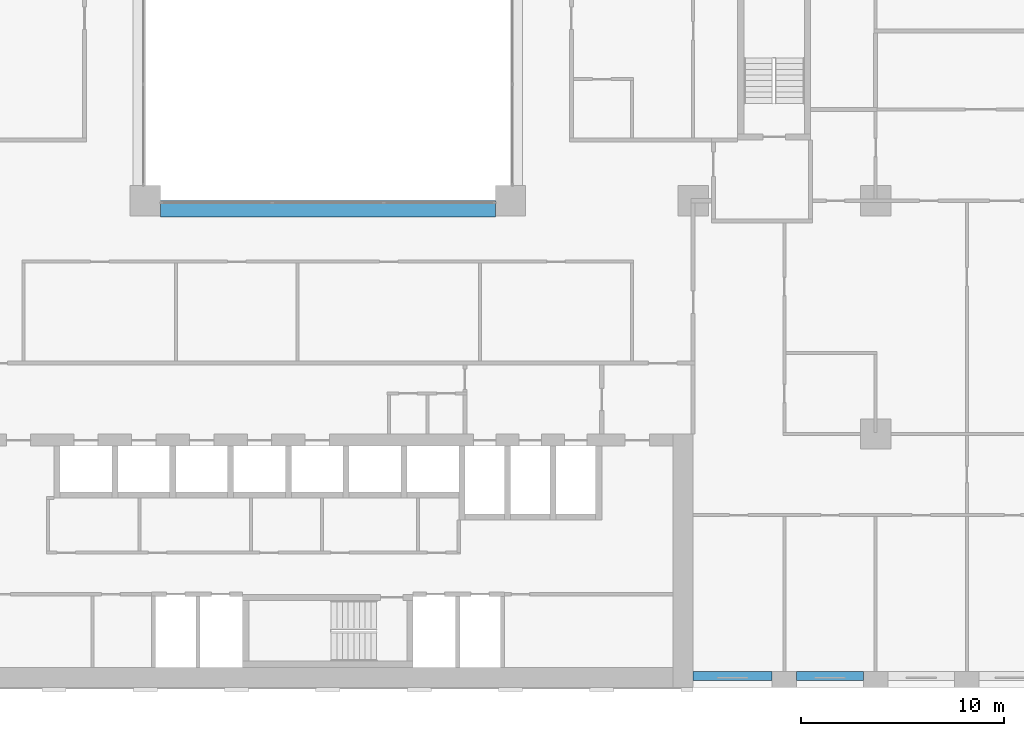
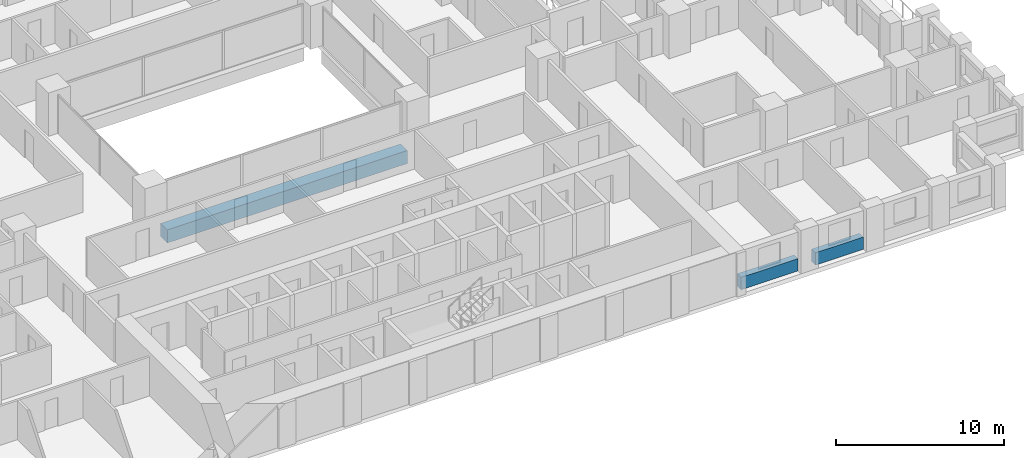
# One storey, part 3 of 19: 3 beams.
"""IFC4 building model written with IfcOpenShell, lengths in metres."""

from ifc_helpers import new_model, si_unit, direction, frame, origin, origin_2d, place, context, subcontext, project, spatial, rectangle, extrude, material, material_profile, profile_set, type_object, element, save


model = new_model("IFC4")

# Units and contexts
model_context = context("Model", 3, precision=1e-05, world=origin(), true_north=direction((0.0, 1.0)))
body_context = subcontext(model_context, "Body", "Model", "MODEL_VIEW")
ifc_project = project(units=[si_unit("LENGTHUNIT", "METRE"), si_unit("AREAUNIT", "SQUARE_METRE"), si_unit("VOLUMEUNIT", "CUBIC_METRE"), si_unit("PLANEANGLEUNIT", "RADIAN"), si_unit("MASSUNIT", "GRAM", prefix="KILO")], contexts=[model_context])

# Site, building, storey
site_placement = place(None, origin())
site = spatial("IfcSite", under=ifc_project, at=site_placement, CompositionType="ELEMENT")
building_placement = place(site_placement, origin())
building = spatial("IfcBuilding", under=site, at=building_placement, Name="Brigalow Station Residences", CompositionType="ELEMENT")
storey_placement = place(building_placement, frame((0.0, 0.0, 32.10009765625)))
storey = spatial("IfcBuildingStorey", under=building, at=storey_placement, Name="L08", CompositionType="ELEMENT", Elevation=32.10009765625)

# Beams
ifc_material_1 = material(Name="Concrete C65", Category="concrete")
ifc_material_profile_1 = material_profile(ifc_material_1, rectangle(XDim=0.800048828125, YDim=0.949951171875, at=origin_2d()), Name="RC800x950")
ifc_profile_set_1 = profile_set([ifc_material_profile_1], Name="Concrete C65")
beam_type_1 = type_object("IfcBeamType", Name="ATRIUM EDGE GIRDER OVER 13.5 M SPAN 800x950 C65", PredefinedType="BEAM", material=ifc_profile_set_1)
beam_1_placement = place(storey_placement, frame((27.75, 23.60009765625, -0.795166015625), z_axis=(1.0, 0.0, 0.0), x_axis=(0.0, 1.0, 0.0)))
element("IfcBeam", 1, at=beam_1_placement, inside=storey, type_object=beam_type_1, Name="ATRIUM EDGE GIRDER C L08", PredefinedType="BEAM", context=body_context, shape_type="SweptSolid", body=[
    extrude(rectangle(XDim=0.800048828125, YDim=0.949951171875, at=origin_2d()), origin(), (0.0, 0.0, 1.0), 16.5),
])
ifc_material_2 = material(Name="Concrete C65", Category="concrete")
ifc_material_profile_2 = material_profile(ifc_material_2, rectangle(XDim=0.449951171875, YDim=0.89990234375, at=origin_2d()), Name="RC450x900")
ifc_profile_set_2 = profile_set([ifc_material_profile_2], Name="Concrete C65")
beam_type_2 = type_object("IfcBeamType", Name="SPANDREL BEAM 450x900 C65", PredefinedType="SPANDREL", material=ifc_profile_set_2)
beam_2_placement = place(storey_placement, frame((54.0, 0.574951171875, 0.449951171875), z_axis=(1.0, 0.0, 0.0), x_axis=(0.0, 1.0, 0.0)))
element("IfcBeam", 2, at=beam_2_placement, inside=storey, type_object=beam_type_2, Name="L08/spandrel/W-L08-5", PredefinedType="SPANDREL", context=body_context, shape_type="SweptSolid", body=[
    extrude(rectangle(XDim=0.449951171875, YDim=0.89990234375, at=origin_2d()), origin(), (0.0, 0.0, 1.0), 3.89990234375),
])
beam_3_placement = place(storey_placement, frame((59.10009765625, 0.574951171875, 0.449951171875), z_axis=(1.0, 0.0, 0.0), x_axis=(0.0, 1.0, 0.0)))
element("IfcBeam", 3, at=beam_3_placement, inside=storey, type_object=beam_type_2, Name="L08/spandrel/W-L08-6", PredefinedType="SPANDREL", context=body_context, shape_type="SweptSolid", body=[
    extrude(rectangle(XDim=0.449951171875, YDim=0.89990234375, at=origin_2d()), origin(), (0.0, 0.0, 1.0), 3.2998046875),
])

save(model, "model.ifc")
